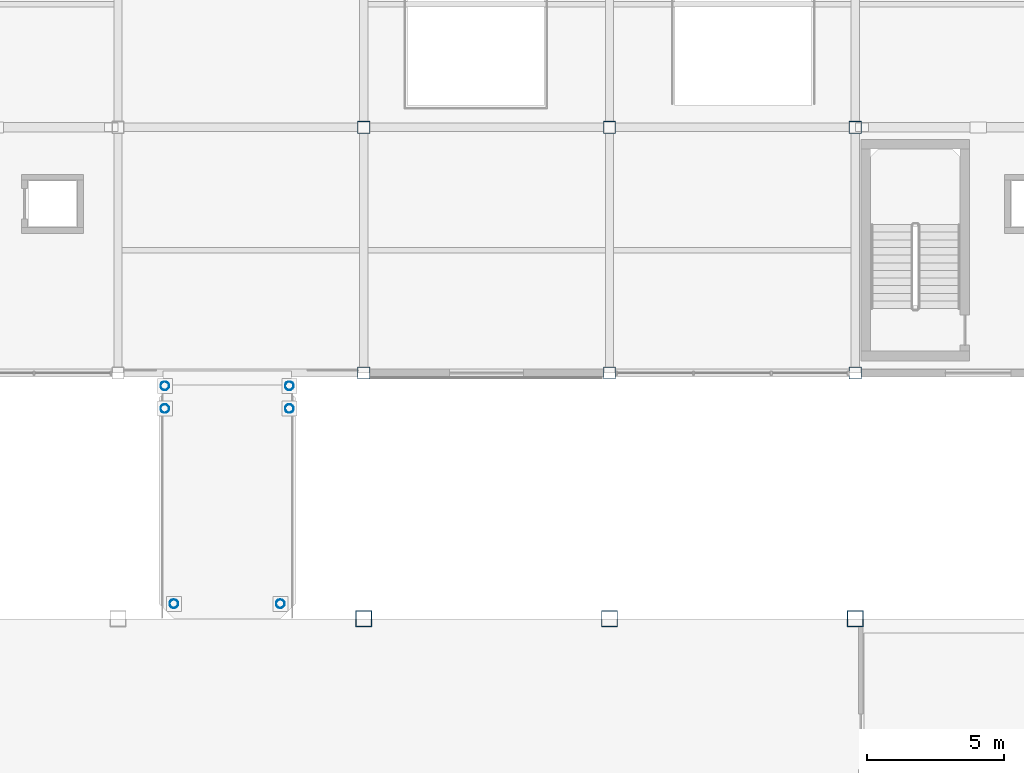
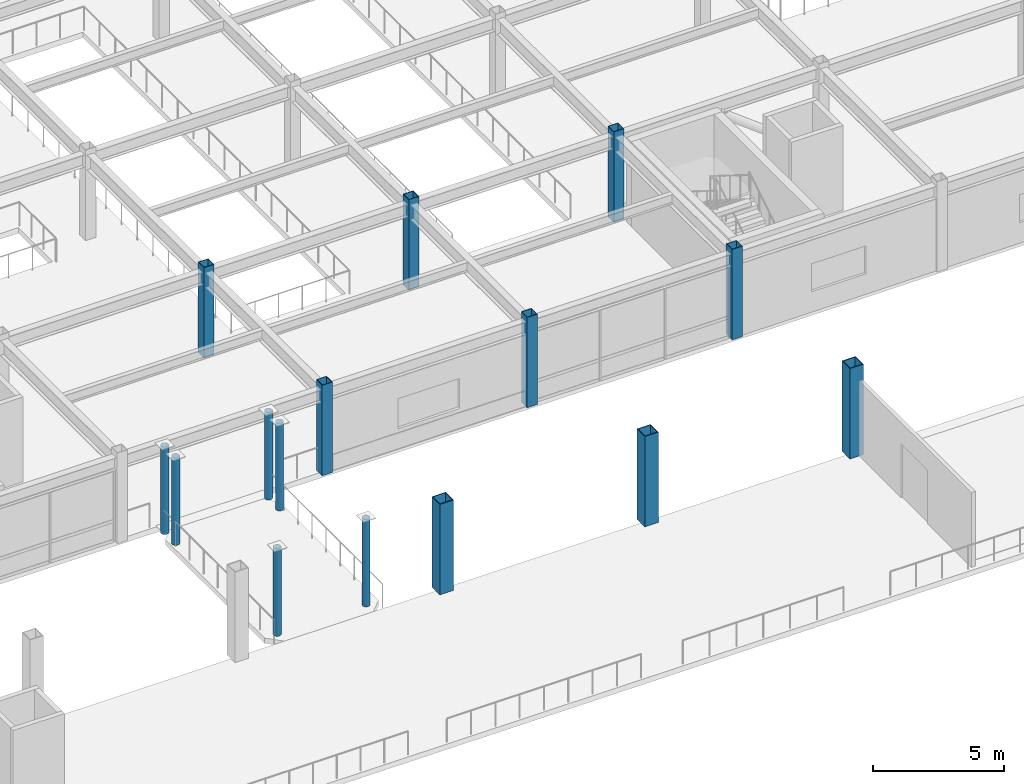
# One storey, part 12 of 105: 15 columns.
"""IFC4 building model written with IfcOpenShell, lengths in metres."""

from ifc_helpers import new_model, si_unit, direction, frame, origin, origin_2d, place, context, subcontext, project, spatial, hollow_rectangle, hollow_circle, extrude, material, material_profile, profile_set, type_object, element, save


model = new_model("IFC4")

# Units and contexts
model_context = context("Model", 3, precision=1e-05, world=origin(), true_north=direction((0.0, 1.0)))
body_context = subcontext(model_context, "Body", "Model", "MODEL_VIEW")
ifc_project = project(units=[si_unit("LENGTHUNIT", "METRE"), si_unit("AREAUNIT", "SQUARE_METRE"), si_unit("VOLUMEUNIT", "CUBIC_METRE"), si_unit("PLANEANGLEUNIT", "RADIAN"), si_unit("MASSUNIT", "GRAM", prefix="KILO")], contexts=[model_context])

# Site, building, storey
site_placement = place(None, origin())
site = spatial("IfcSite", under=ifc_project, at=site_placement, CompositionType="ELEMENT")
building_placement = place(site_placement, origin())
building = spatial("IfcBuilding", under=site, at=building_placement, Name="Suzunagisa Mobility Hub", CompositionType="ELEMENT")
storey_placement = place(building_placement, frame((0.0, 0.0, 5.10009765625)))
storey = spatial("IfcBuildingStorey", under=building, at=storey_placement, Name="L01", CompositionType="ELEMENT", Elevation=5.10009765625)

# Columns
ifc_material = material(Name="Steel SN490B", Category="steel")
ifc_material_profile_1 = material_profile(ifc_material, hollow_rectangle(XDim=0.60009765625, YDim=0.60009765625, WallThickness=0.031982421875, at=origin_2d()), Name="BOX-600x600x32")
ifc_profile_set_1 = profile_set([ifc_material_profile_1], Name="Steel SN490B")
column_type_1 = type_object("IfcColumnType", Name="Steel Column CL-05 BOX-600x600x32", PredefinedType="COLUMN", material=ifc_profile_set_1)
for number, where, z_axis, x_axis, name in (
    (1, (72.0, 71.0, 0.0), (0.0, 0.0, 1.0), (1.0, 0.0, 0.0), "L01 Column 153"),
    (2, (81.0, 71.0, 0.0), (0.0, 0.0, 1.0), (1.0, 0.0, 0.0), "L01 Column 169"),
    (3, (90.0, 71.0, 0.0), (0.0, 0.0, 1.0), (1.0, 0.0, 0.0), "L01 Column 185"),
):
    element("IfcColumn", number, at=place(storey_placement, frame(where, z_axis=z_axis, x_axis=x_axis)), inside=storey, type_object=column_type_1, Name=name, PredefinedType="COLUMN", context=body_context, shape_type="SweptSolid", body=[
        extrude(hollow_rectangle(XDim=0.60009765625, YDim=0.60009765625, WallThickness=0.031982421875, at=origin_2d()), origin(), (0.0, 0.0, 1.0), 4.199951171875),
    ])
ifc_material_profile_2 = material_profile(ifc_material, hollow_circle(Radius=0.1591796875, WallThickness=0.01025390625, at=origin_2d()), Name="CHS-318.5x10.3")
ifc_profile_set_2 = profile_set([ifc_material_profile_2], Name="Steel SN490B")
column_type_2 = type_object("IfcColumnType", Name="Steel Column CL-09 CHS-318.5x10.3", PredefinedType="COLUMN", material=ifc_profile_set_2)
for number, where, z_axis, x_axis, name in (
    (4, (64.719970703125, 78.699951171875, 0.0), (0.0, 0.0, 1.0), (1.0, 0.0, 0.0), "L01 Column 143"),
    (5, (64.719970703125, 79.530029296875, 0.0), (0.0, 0.0, 1.0), (1.0, 0.0, 0.0), "L01 Column 144"),
    (6, (65.050048828125, 71.550048828125, 0.0), (0.0, 0.0, 1.0), (1.0, 0.0, 0.0), "L01 Column 145"),
    (7, (68.949951171875, 71.550048828125, 0.0), (0.0, 0.0, 1.0), (1.0, 0.0, 0.0), "L01 Column 147"),
    (8, (69.280029296875, 78.699951171875, 0.0), (0.0, 0.0, 1.0), (1.0, 0.0, 0.0), "L01 Column 148"),
    (9, (69.280029296875, 79.530029296875, 0.0), (0.0, 0.0, 1.0), (1.0, 0.0, 0.0), "L01 Column 149"),
):
    element("IfcColumn", number, at=place(storey_placement, frame(where, z_axis=z_axis, x_axis=x_axis)), inside=storey, type_object=column_type_2, Name=name, PredefinedType="COLUMN", context=body_context, shape_type="SweptSolid", body=[
        extrude(hollow_circle(Radius=0.1591796875, WallThickness=0.01025390625, at=origin_2d()), origin(), (0.0, 0.0, 1.0), 4.059814453125),
    ])
ifc_material_profile_3 = material_profile(ifc_material, hollow_rectangle(XDim=0.449951171875, YDim=0.449951171875, WallThickness=0.02197265625, at=origin_2d()), Name="BCR-450x450x22")
ifc_profile_set_3 = profile_set([ifc_material_profile_3], Name="Steel SN490B")
column_type_3 = type_object("IfcColumnType", Name="Steel Column CL-17 BCR-450x450x22", PredefinedType="COLUMN", material=ifc_profile_set_3)
for number, where, z_axis, x_axis, name in (
    (10, (72.0, 80.0, 0.0), (0.0, 0.0, 1.0), (1.0, 0.0, 0.0), "L01 Column 154"),
    (11, (72.0, 89.0, 0.0), (0.0, 0.0, 1.0), (1.0, 0.0, 0.0), "L01 Column 155"),
    (12, (81.0, 80.0, 0.0), (0.0, 0.0, 1.0), (1.0, 0.0, 0.0), "L01 Column 171"),
    (13, (81.0, 89.0, 0.0), (0.0, 0.0, 1.0), (1.0, 0.0, 0.0), "L01 Column 172"),
    (14, (90.0, 80.0, 0.0), (0.0, 0.0, 1.0), (1.0, 0.0, 0.0), "L01 Column 186"),
    (15, (90.0, 89.0, 0.0), (0.0, 0.0, 1.0), (1.0, 0.0, 0.0), "L01 Column 187"),
):
    element("IfcColumn", number, at=place(storey_placement, frame(where, z_axis=z_axis, x_axis=x_axis)), inside=storey, type_object=column_type_3, Name=name, PredefinedType="COLUMN", context=body_context, shape_type="SweptSolid", body=[
        extrude(hollow_rectangle(XDim=0.449951171875, YDim=0.449951171875, WallThickness=0.02197265625, at=origin_2d()), origin(), (0.0, 0.0, 1.0), 4.199951171875),
    ])

save(model, "model.ifc")
